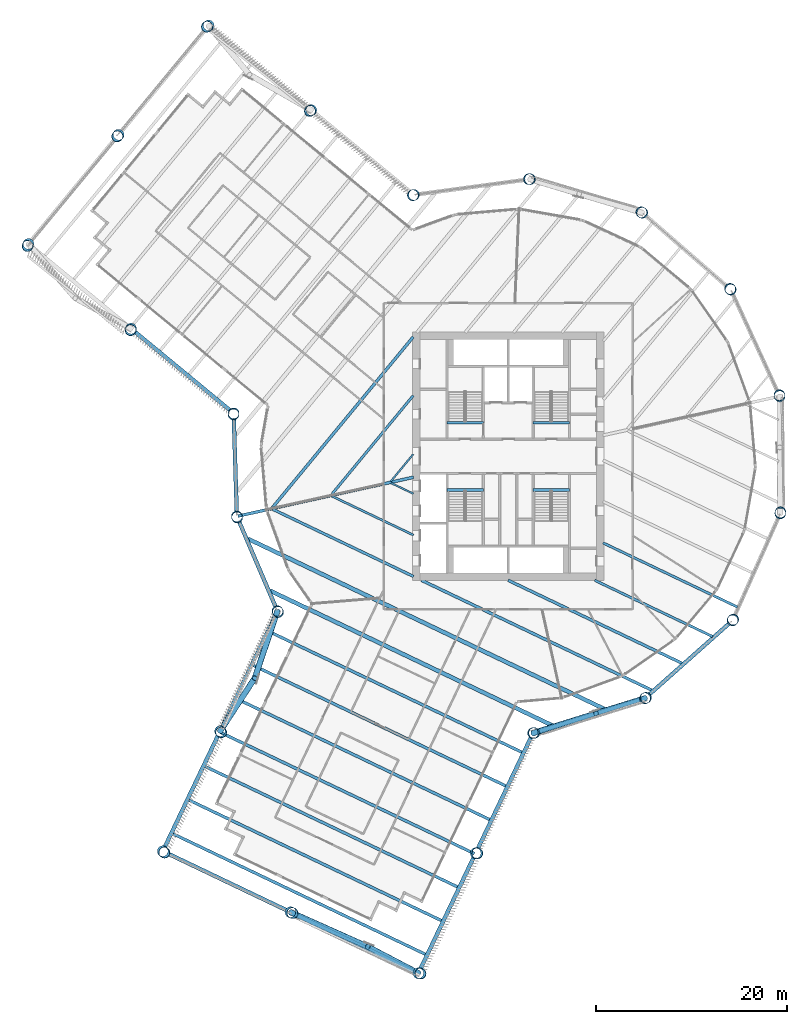
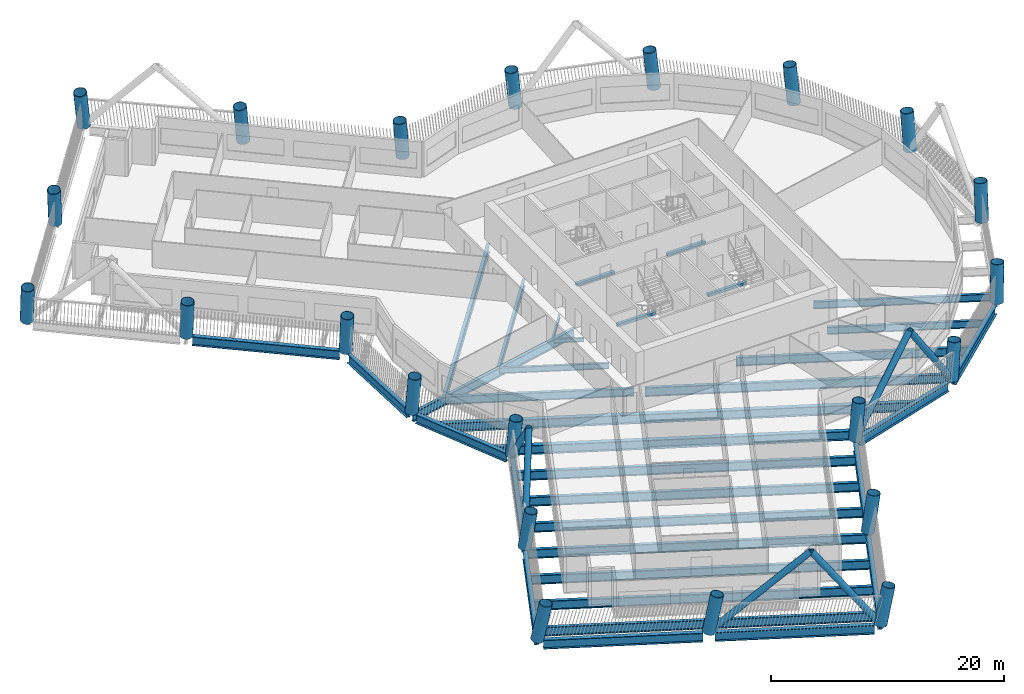
# One storey, part 1 of 22: 35 beams, 22 columns, 6 members.
"""IFC4 building model written with IfcOpenShell, lengths in metres."""

from ifc_helpers import new_model, si_unit, direction, frame, origin, origin_2d, place, context, subcontext, project, spatial, rectangle, hollow_circle, i_section, extrude, material, material_profile, profile_set, type_object, element, save


model = new_model("IFC4")

# Units and contexts
model_context = context("Model", 3, precision=1e-05, world=origin(), true_north=direction((0.0, 1.0)))
body_context = subcontext(model_context, "Body", "Model", "MODEL_VIEW")
ifc_project = project(units=[si_unit("LENGTHUNIT", "METRE"), si_unit("AREAUNIT", "SQUARE_METRE"), si_unit("VOLUMEUNIT", "CUBIC_METRE"), si_unit("PLANEANGLEUNIT", "RADIAN"), si_unit("MASSUNIT", "GRAM", prefix="KILO")], contexts=[model_context])

# Site, building, storey
site_placement = place(None, origin())
site = spatial("IfcSite", under=ifc_project, at=site_placement, CompositionType="ELEMENT")
building_placement = place(site_placement, origin())
building = spatial("IfcBuilding", under=site, at=building_placement, Name="Tarsis Ring Headquarters", CompositionType="ELEMENT")
storey_placement = place(building_placement, frame((0.0, 0.0, 108.39990234375)))
storey = spatial("IfcBuildingStorey", under=building, at=storey_placement, Name="L24", CompositionType="ELEMENT", Elevation=108.39990234375)

# Columns
ifc_material_1 = material(Name="Structural steel S355", Category="steel")
ifc_material_profile_1 = material_profile(ifc_material_1, hollow_circle(Radius=0.584228515625, WallThickness=0.044921875, at=origin_2d()), Name="CHS 1168x45")
ifc_profile_set_1 = profile_set([ifc_material_profile_1], Name="Structural steel S355")
column_type = type_object("IfcColumnType", Name="XC Exo column CHS 1168x45", PredefinedType="COLUMN", material=ifc_profile_set_1)
for number, where, z_axis, x_axis, name in (
    (1, (-28.362060546875, -6.27734375, 0.0009765625), (0.022431411729, -0.098386664223, 0.994895419665), (0.974980990163, 0.222288256149, 0.0), "Exo column XC3 F1"),
    (2, (-24.124755859375, -16.1806640625, 0.0009765625), (0.05676393346, -0.083432389575, 0.994895417734), (0.826788661784, 0.562512674298, 0.0), "Exo column XC3 AK"),
):
    element("IfcColumn", number, at=place(storey_placement, frame(where, z_axis=z_axis, x_axis=x_axis)), inside=storey, type_object=column_type, Name=name, PredefinedType="COLUMN", context=body_context, shape_type="SweptSolid", body=[
        extrude(hollow_circle(Radius=0.584228515625, WallThickness=0.044921875, at=origin_2d()), origin(), (0.0, 0.0, 1.0), 3.918212890625),
    ])
column_1_placement = place(storey_placement, frame((-30.114013671875, -28.7265625, 0.001220703125), z_axis=(0.099922305158, -0.10333156495, 0.989615137625), x_axis=(0.718866252305, 0.695148409548, 0.0)))
element("IfcColumn", 3, at=column_1_placement, inside=storey, type_object=column_type, Name="Exo column XC3 AI1", PredefinedType="COLUMN", context=body_context, shape_type="SweptSolid", body=[
    extrude(hollow_circle(Radius=0.584228515625, WallThickness=0.044921875, at=origin_2d()), origin(), (0.0, 0.0, 1.0), 3.938720703125),
])
column_2_placement = place(storey_placement, frame((-36.103515625, -41.2724609375, 0.00146484375), z_axis=(0.142374801115, -0.122809033287, 0.982164628436), x_axis=(0.653159685247, 0.757220196223, 0.0)))
element("IfcColumn", 4, at=column_2_placement, inside=storey, type_object=column_type, Name="Exo column XC3 AT1", PredefinedType="COLUMN", context=body_context, shape_type="SweptSolid", body=[
    extrude(hollow_circle(Radius=0.584228515625, WallThickness=0.044921875, at=origin_2d()), origin(), (0.0, 0.0, 1.0), 3.968017578125),
])
column_3_placement = place(storey_placement, frame((-22.747314453125, -47.648681640625, 0.00146484375), z_axis=(0.164061415844, -0.076948069241, 0.983444378941), x_axis=(0.424634205954, 0.905365004368, 0.0)))
element("IfcColumn", 5, at=column_3_placement, inside=storey, type_object=column_type, Name="Exo column XC3 AT2", PredefinedType="COLUMN", context=body_context, shape_type="SweptSolid", body=[
    extrude(hollow_circle(Radius=0.584228515625, WallThickness=0.044921875, at=origin_2d()), origin(), (0.0, 0.0, 1.0), 3.962890625),
])
column_4_placement = place(storey_placement, frame((-9.391357421875, -54.02490234375, 0.00146484375), z_axis=(0.185444595243, -0.030948451031, 0.982167244146), x_axis=(0.164611259584, 0.986358521643, 0.0)))
element("IfcColumn", 6, at=column_4_placement, inside=storey, type_object=column_type, Name="Exo column XC3 AT3", PredefinedType="COLUMN", context=body_context, shape_type="SweptSolid", body=[
    extrude(hollow_circle(Radius=0.584228515625, WallThickness=0.044921875, at=origin_2d()), origin(), (0.0, 0.0, 1.0), 3.968017578125),
])
column_5_placement = place(storey_placement, frame((-3.40185546875, -41.47900390625, 0.001220703125), z_axis=(0.143313383493, -0.010785695817, 0.989618584545), x_axis=(0.075047281966, 0.997179976468, 0.0)))
element("IfcColumn", 7, at=column_5_placement, inside=storey, type_object=column_type, Name="Exo column XC3 AO1", PredefinedType="COLUMN", context=body_context, shape_type="SweptSolid", body=[
    extrude(hollow_circle(Radius=0.584228515625, WallThickness=0.044921875, at=origin_2d()), origin(), (0.0, 0.0, 1.0), 3.9384765625),
])
for number, where, z_axis, x_axis, name in (
    (8, (2.58740234375, -28.93310546875, 0.0009765625), (0.100442930001, 0.009657974039, 0.994895944986), (-0.095712406644, 0.9954090291, 0.0), "Exo column XC3 AJ"),
    (9, (14.283203125, -25.29443359375, 0.0009765625), (0.087544675866, 0.05022135854, 0.994893835981), (-0.497600928398, 0.867406084863, 0.0), "Exo column XC3 R1"),
    (10, (23.439453125, -17.158203125, 0.0009765625), (0.059069403484, 0.081812370016, 0.994895744128), (-0.810760633676, 0.585377822334, 0.0), "Exo column XC3 R2"),
    (11, (28.42822265625, -5.97119140625, 0.0009765625), (0.020063674504, 0.098885252912, 0.994896555287), (-0.980030589124, 0.198846786199, 0.0), "Exo column XC3 R3"),
    (12, (28.362060546875, 6.27734375, 0.0009765625), (-0.022431411729, 0.098386664223, 0.994895419665), (-0.974980990163, -0.222288256149, 0.0), "Exo column XC3 R4"),
    (13, (23.253173828125, 17.409912109375, 0.0009765625), (-0.061001013533, 0.080379272173, 0.994895999064), (-0.796578475407, -0.604535137538, 0.0), "Exo column XC3 R5"),
    (14, (14.009765625, 25.44677734375, 0.0009765625), (-0.088728536993, 0.048102830448, 0.994893644781), (-0.476601326674, -0.879119545575, 0.0), "Exo column XC3 R6"),
    (15, (2.275146484375, 28.959228515625, 0.0009765625), (-0.100568352773, 0.007227960918, 0.994903896365), (-0.071686219994, -0.997427233367, 0.0), "Exo column XC3 R7"),
    (16, (-9.86376953125, 27.322509765625, 0.0009765625), (-0.094648441024, -0.034893434479, 0.994899050579), (0.345905723163, -0.93826927408, 0.0), "Exo column XC3 BJ"),
):
    element("IfcColumn", number, at=place(storey_placement, frame(where, z_axis=z_axis, x_axis=x_axis)), inside=storey, type_object=column_type, Name=name, PredefinedType="COLUMN", context=body_context, shape_type="SweptSolid", body=[
        extrude(hollow_circle(Radius=0.584228515625, WallThickness=0.044921875, at=origin_2d()), origin(), (0.0, 0.0, 1.0), 3.918212890625),
    ])
column_6_placement = place(storey_placement, frame((-20.588134765625, 36.169189453125, 0.001220703125), z_axis=(-0.124407338782, -0.071966577143, 0.989617919114), x_axis=(0.500730218626, -0.865603401191, 0.0)))
element("IfcColumn", 17, at=column_6_placement, inside=storey, type_object=column_type, Name="Exo column XC3 BO1", PredefinedType="COLUMN", context=body_context, shape_type="SweptSolid", body=[
    extrude(hollow_circle(Radius=0.584228515625, WallThickness=0.044921875, at=origin_2d()), origin(), (0.0, 0.0, 1.0), 3.9384765625),
])
column_7_placement = place(storey_placement, frame((-31.312255859375, 45.015869140625, 0.00146484375), z_axis=(-0.153634044028, -0.108411367872, 0.982162693158), x_axis=(0.576554722264, -0.817058536602, 0.0)))
element("IfcColumn", 18, at=column_7_placement, inside=storey, type_object=column_type, Name="Exo column XC3 BT3", PredefinedType="COLUMN", context=body_context, shape_type="SweptSolid", body=[
    extrude(hollow_circle(Radius=0.584228515625, WallThickness=0.044921875, at=origin_2d()), origin(), (0.0, 0.0, 1.0), 3.968017578125),
])
column_8_placement = place(storey_placement, frame((-40.730224609375, 33.598876953125, 0.00146484375), z_axis=(-0.114404620185, -0.140587691579, 0.983436161556), x_axis=(0.775635527649, -0.631181058214, 0.0)))
element("IfcColumn", 19, at=column_8_placement, inside=storey, type_object=column_type, Name="Exo column XC3 BT2", PredefinedType="COLUMN", context=body_context, shape_type="SweptSolid", body=[
    extrude(hollow_circle(Radius=0.584228515625, WallThickness=0.044921875, at=origin_2d()), origin(), (0.0, 0.0, 1.0), 3.962890625),
])
column_9_placement = place(storey_placement, frame((-50.148193359375, 22.18212890625, 0.00146484375), z_axis=(-0.074879156062, -0.172462016797, 0.982165955809), x_axis=(0.917272840947, -0.398259381888, 0.0)))
element("IfcColumn", 20, at=column_9_placement, inside=storey, type_object=column_type, Name="Exo column XC3 BT1", PredefinedType="COLUMN", context=body_context, shape_type="SweptSolid", body=[
    extrude(hollow_circle(Radius=0.584228515625, WallThickness=0.044921875, at=origin_2d()), origin(), (0.0, 0.0, 1.0), 3.968017578125),
])
column_10_placement = place(storey_placement, frame((-39.423828125, 13.335693359375, 0.001220703125), z_axis=(-0.045125702975, -0.136554840184, 0.989604186811), x_axis=(0.949499022277, -0.313769990112, 0.0)))
element("IfcColumn", 21, at=column_10_placement, inside=storey, type_object=column_type, Name="Exo column XC3 BI1", PredefinedType="COLUMN", context=body_context, shape_type="SweptSolid", body=[
    extrude(hollow_circle(Radius=0.584228515625, WallThickness=0.044921875, at=origin_2d()), origin(), (0.0, 0.0, 1.0), 3.938720703125),
])
column_11_placement = place(storey_placement, frame((-28.699462890625, 4.489013671875, 0.0009765625), z_axis=(-0.014954333707, -0.099757867772, 0.994899359594), x_axis=(0.988949941305, -0.148249835049, 0.0)))
element("IfcColumn", 22, at=column_11_placement, inside=storey, type_object=column_type, Name="Exo column XC3 BK", PredefinedType="COLUMN", context=body_context, shape_type="SweptSolid", body=[
    extrude(hollow_circle(Radius=0.584228515625, WallThickness=0.044921875, at=origin_2d()), origin(), (0.0, 0.0, 1.0), 3.918212890625),
])

# Beams
ifc_material_profile_2 = material_profile(ifc_material_1, i_section(OverallWidth=0.177734375, OverallDepth=0.406494140625, WebThickness=0.0078125, FlangeThickness=0.0126953125, at=origin_2d()), Name="W16x40")
ifc_profile_set_2 = profile_set([ifc_material_profile_2], Name="Structural steel S355")
beam_type_1 = type_object("IfcBeamType", Name="FB Floor beam W16x40", PredefinedType="JOIST", material=ifc_profile_set_2)
beam_1_placement = place(storey_placement, frame((-12.233154296875, -2.80322265625, -0.363037109375), z_axis=(0.902451714471, -0.430791020158, 0.0), x_axis=(0.430791020158, 0.902451714471, 0.0)))
element("IfcBeam", 23, at=beam_1_placement, inside=storey, type_object=beam_type_1, Name="Floor beam FB1", PredefinedType="JOIST", context=body_context, shape_type="SweptSolid", body=[
    extrude(i_section(OverallWidth=0.177734375, OverallDepth=0.406494140625, WebThickness=0.0078125, FlangeThickness=0.0126953125, at=origin_2d()), origin(), (0.0, 0.0, 1.0), 2.57470703125),
])
beam_2_placement = place(storey_placement, frame((-9.936279296875, 0.212158203125, -0.363037109375), z_axis=(-0.636371088489, -0.77138306809, 0.0), x_axis=(0.77138306809, -0.636371088489, 0.0)))
element("IfcBeam", 24, at=beam_2_placement, inside=storey, type_object=beam_type_1, Name="Floor beam FB1", PredefinedType="JOIST", context=body_context, shape_type="SweptSolid", body=[
    extrude(i_section(OverallWidth=0.177734375, OverallDepth=0.406494140625, WebThickness=0.0078125, FlangeThickness=0.0126953125, at=origin_2d()), origin(), (0.0, 0.0, 1.0), 3.672607421875),
])
ifc_material_profile_3 = material_profile(ifc_material_1, i_section(OverallWidth=0.228271484375, OverallDepth=0.607177734375, WebThickness=0.01123046875, FlangeThickness=0.017333984375, at=origin_2d()), Name="W24x76")
ifc_profile_set_3 = profile_set([ifc_material_profile_3], Name="Structural steel S355")
beam_type_2 = type_object("IfcBeamType", Name="FB Floor beam W24x76", PredefinedType="JOIST", material=ifc_profile_set_3)
beam_3_placement = place(storey_placement, frame((-18.41796875, -4.172119140625, -0.46337890625), z_axis=(0.902440312058, -0.430814905931, 0.0), x_axis=(0.430814905931, 0.902440312058, 0.0)))
element("IfcBeam", 25, at=beam_3_placement, inside=storey, type_object=beam_type_2, Name="Floor beam FB4", PredefinedType="JOIST", context=body_context, shape_type="SweptSolid", body=[
    extrude(i_section(OverallWidth=0.228271484375, OverallDepth=0.607177734375, WebThickness=0.01123046875, FlangeThickness=0.017333984375, at=origin_2d()), origin(), (0.0, 0.0, 1.0), 9.42822265625),
])
ifc_material_profile_4 = material_profile(ifc_material_1, i_section(OverallWidth=0.2666015625, OverallDepth=0.7568359375, WebThickness=0.013916015625, FlangeThickness=0.019287109375, at=origin_2d()), Name="W30x108")
ifc_profile_set_4 = profile_set([ifc_material_profile_4], Name="Structural steel S355")
beam_type_3 = type_object("IfcBeamType", Name="FB Floor beam W30x108", PredefinedType="JOIST", material=ifc_profile_set_4)
beam_4_placement = place(storey_placement, frame((9.90966796875, -9.052490234375, -0.538330078125), z_axis=(0.902432627009, -0.430831003654, 0.0), x_axis=(0.430831003654, 0.902432627009, 0.0)))
element("IfcBeam", 26, at=beam_4_placement, inside=storey, type_object=beam_type_3, Name="Floor beam FB6", PredefinedType="JOIST", context=body_context, shape_type="SweptSolid", body=[
    extrude(i_section(OverallWidth=0.2666015625, OverallDepth=0.7568359375, WebThickness=0.013916015625, FlangeThickness=0.019287109375, at=origin_2d()), origin(), (0.0, 0.0, 1.0), 15.55126953125),
])
beam_5_placement = place(storey_placement, frame((9.03564453125, -12.95703125, -0.538330078125), z_axis=(0.902438560521, -0.430818574907, 0.0), x_axis=(0.430818574907, 0.902438560521, 0.0)))
element("IfcBeam", 27, at=beam_5_placement, inside=storey, type_object=beam_type_3, Name="Floor beam FB6", PredefinedType="JOIST", context=body_context, shape_type="SweptSolid", body=[
    extrude(i_section(OverallWidth=0.2666015625, OverallDepth=0.7568359375, WebThickness=0.013916015625, FlangeThickness=0.019287109375, at=origin_2d()), origin(), (0.0, 0.0, 1.0), 13.66064453125),
])
beam_6_placement = place(storey_placement, frame((-9.936279296875, 6.341064453125, -0.538330078125), z_axis=(-0.636351768844, -0.771399005891, 0.0), x_axis=(0.771399005891, -0.636351768844, 0.0)))
element("IfcBeam", 28, at=beam_6_placement, inside=storey, type_object=beam_type_3, Name="Floor beam FB6", PredefinedType="JOIST", context=body_context, shape_type="SweptSolid", body=[
    extrude(i_section(OverallWidth=0.2666015625, OverallDepth=0.7568359375, WebThickness=0.013916015625, FlangeThickness=0.019287109375, at=origin_2d()), origin(), (0.0, 0.0, 1.0), 13.392333984375),
])
ifc_material_profile_5 = material_profile(ifc_material_1, i_section(OverallWidth=0.2919921875, OverallDepth=0.835693359375, WebThickness=0.013916015625, FlangeThickness=0.018798828125, at=origin_2d()), Name="W33x118")
ifc_profile_set_5 = profile_set([ifc_material_profile_5], Name="Structural steel S355")
beam_type_4 = type_object("IfcBeamType", Name="FB Floor beam W33x118", PredefinedType="JOIST", material=ifc_profile_set_5)
beam_7_placement = place(storey_placement, frame((-24.60302734375, -5.541015625, -0.57763671875), z_axis=(0.902435462247, -0.430825064822, 0.0), x_axis=(0.430825064822, 0.902435462247, 0.0)))
element("IfcBeam", 29, at=beam_7_placement, inside=storey, type_object=beam_type_4, Name="Floor beam FB7", PredefinedType="JOIST", context=body_context, shape_type="SweptSolid", body=[
    extrude(i_section(OverallWidth=0.2919921875, OverallDepth=0.835693359375, WebThickness=0.013916015625, FlangeThickness=0.018798828125, at=origin_2d()), origin(), (0.0, 0.0, 1.0), 16.281982421875),
])
ifc_material_profile_6 = material_profile(ifc_material_1, i_section(OverallWidth=0.3046875, OverallDepth=0.904296875, WebThickness=0.01513671875, FlangeThickness=0.02001953125, at=origin_2d()), Name="W36x135")
ifc_profile_set_6 = profile_set([ifc_material_profile_6], Name="Structural steel S355")
beam_type_5 = type_object("IfcBeamType", Name="FB Floor beam W36x135", PredefinedType="JOIST", material=ifc_profile_set_6)
beam_8_placement = place(storey_placement, frame((-0.016845703125, -12.95703125, -0.612060546875), z_axis=(0.902439575636, -0.430816448533, 0.0), x_axis=(0.430816448533, 0.902439575636, 0.0)))
element("IfcBeam", 30, at=beam_8_placement, inside=storey, type_object=beam_type_5, Name="Floor beam FB8", PredefinedType="JOIST", context=body_context, shape_type="SweptSolid", body=[
    extrude(i_section(OverallWidth=0.3046875, OverallDepth=0.904296875, WebThickness=0.01513671875, FlangeThickness=0.02001953125, at=origin_2d()), origin(), (0.0, 0.0, 1.0), 20.186279296875),
])
ifc_material_profile_7 = material_profile(ifc_material_1, i_section(OverallWidth=0.3046875, OverallDepth=0.91943359375, WebThickness=0.017333984375, FlangeThickness=0.02783203125, at=origin_2d()), Name="W36x170")
ifc_profile_set_7 = profile_set([ifc_material_profile_7], Name="Structural steel S355")
beam_type_6 = type_object("IfcBeamType", Name="FB Floor beam W36x170", PredefinedType="JOIST", material=ifc_profile_set_7)
beam_9_placement = place(storey_placement, frame((-9.936279296875, 12.4697265625, -0.61962890625), z_axis=(-0.636347598288, -0.771402446297, 0.0), x_axis=(0.771402446297, -0.636347598288, 0.0)))
element("IfcBeam", 31, at=beam_9_placement, inside=storey, type_object=beam_type_6, Name="Floor beam FB9", PredefinedType="JOIST", context=body_context, shape_type="SweptSolid", body=[
    extrude(i_section(OverallWidth=0.3046875, OverallDepth=0.91943359375, WebThickness=0.017333984375, FlangeThickness=0.02783203125, at=origin_2d()), origin(), (0.0, 0.0, 1.0), 23.111572265625),
])
ifc_material_profile_8 = material_profile(ifc_material_1, i_section(OverallWidth=0.309814453125, OverallDepth=0.93212890625, WebThickness=0.02099609375, FlangeThickness=0.034423828125, at=origin_2d()), Name="W36x210")
ifc_profile_set_8 = profile_set([ifc_material_profile_8], Name="Structural steel S355")
beam_type_7 = type_object("IfcBeamType", Name="FB Floor beam W36x210", PredefinedType="JOIST", material=ifc_profile_set_8)
beam_10_placement = place(storey_placement, frame((-9.069091796875, -12.95703125, -0.6259765625), z_axis=(0.902436701948, -0.430822468051, 0.0), x_axis=(0.430822468051, 0.902436701948, 0.0)))
element("IfcBeam", 32, at=beam_10_placement, inside=storey, type_object=beam_type_7, Name="Floor beam FB10", PredefinedType="JOIST", context=body_context, shape_type="SweptSolid", body=[
    extrude(i_section(OverallWidth=0.309814453125, OverallDepth=0.93212890625, WebThickness=0.02099609375, FlangeThickness=0.034423828125, at=origin_2d()), origin(), (0.0, 0.0, 1.0), 26.711181640625),
])
ifc_material_profile_9 = material_profile(ifc_material_1, i_section(OverallWidth=0.309814453125, OverallDepth=0.949951171875, WebThickness=0.0244140625, FlangeThickness=0.0439453125, at=origin_2d()), Name="W36x256")
ifc_profile_set_9 = profile_set([ifc_material_profile_9], Name="Structural steel S355")
beam_type_8 = type_object("IfcBeamType", Name="FB Floor beam W36x256", PredefinedType="JOIST", material=ifc_profile_set_9)
beam_11_placement = place(storey_placement, frame((-25.016357421875, -18.30859375, -0.635009765625), z_axis=(0.902436390853, -0.430823119696, 0.0), x_axis=(0.430823119696, 0.902436390853, 0.0)))
element("IfcBeam", 33, at=beam_11_placement, inside=storey, type_object=beam_type_8, Name="Floor beam FB11", PredefinedType="JOIST", context=body_context, shape_type="SweptSolid", body=[
    extrude(i_section(OverallWidth=0.309814453125, OverallDepth=0.949951171875, WebThickness=0.0244140625, FlangeThickness=0.0439453125, at=origin_2d()), origin(), (0.0, 0.0, 1.0), 29.375732421875),
])
beam_12_placement = place(storey_placement, frame((-26.696533203125, -21.828125, -0.635009765625), z_axis=(0.902434848252, -0.430826350936, 0.0), x_axis=(0.430826350936, 0.902434848252, 0.0)))
element("IfcBeam", 34, at=beam_12_placement, inside=storey, type_object=beam_type_8, Name="Floor beam FB11", PredefinedType="JOIST", context=body_context, shape_type="SweptSolid", body=[
    extrude(i_section(OverallWidth=0.309814453125, OverallDepth=0.949951171875, WebThickness=0.0244140625, FlangeThickness=0.0439453125, at=origin_2d()), origin(), (0.0, 0.0, 1.0), 29.37548828125),
])
beam_13_placement = place(storey_placement, frame((-28.376953125, -25.34765625, -0.635009765625), z_axis=(0.902436390853, -0.430823119696, 0.0), x_axis=(0.430823119696, 0.902436390853, 0.0)))
element("IfcBeam", 35, at=beam_13_placement, inside=storey, type_object=beam_type_8, Name="Floor beam FB11", PredefinedType="JOIST", context=body_context, shape_type="SweptSolid", body=[
    extrude(i_section(OverallWidth=0.309814453125, OverallDepth=0.949951171875, WebThickness=0.0244140625, FlangeThickness=0.0439453125, at=origin_2d()), origin(), (0.0, 0.0, 1.0), 29.375732421875),
])
for number, where, z_axis, x_axis, name in (
    (36, (-30.05712890625, -28.866943359375, -0.635009765625), (0.90243315962, -0.430829888027, 0.0), (0.430829888027, 0.90243315962, 0.0), "Floor beam FB11"),
    (37, (-31.7373046875, -32.386474609375, -0.635009765625), (0.90243315962, -0.430829888027, 0.0), (0.430829888027, 0.90243315962, 0.0), "Floor beam FB11"),
):
    element("IfcBeam", number, at=place(storey_placement, frame(where, z_axis=z_axis, x_axis=x_axis)), inside=storey, type_object=beam_type_8, Name=name, PredefinedType="JOIST", context=body_context, shape_type="SweptSolid", body=[
        extrude(i_section(OverallWidth=0.309814453125, OverallDepth=0.949951171875, WebThickness=0.0244140625, FlangeThickness=0.0439453125, at=origin_2d()), origin(), (0.0, 0.0, 1.0), 29.3759765625),
    ])
for number, where, z_axis, x_axis, name in (
    (38, (-33.41748046875, -35.906005859375, -0.635009765625), (0.902436390853, -0.430823119696, 0.0), (0.430823119696, 0.902436390853, 0.0), "Floor beam FB11"),
    (39, (-35.09765625, -39.425537109375, -0.635009765625), (0.902436390853, -0.430823119696, 0.0), (0.430823119696, 0.902436390853, 0.0), "Floor beam FB11"),
):
    element("IfcBeam", number, at=place(storey_placement, frame(where, z_axis=z_axis, x_axis=x_axis)), inside=storey, type_object=beam_type_8, Name=name, PredefinedType="JOIST", context=body_context, shape_type="SweptSolid", body=[
        extrude(i_section(OverallWidth=0.309814453125, OverallDepth=0.949951171875, WebThickness=0.0244140625, FlangeThickness=0.0439453125, at=origin_2d()), origin(), (0.0, 0.0, 1.0), 29.375732421875),
    ])
beam_type_9 = type_object("IfcBeamType", Name="FB Floor beam W36x256 spine", PredefinedType="BEAM", material=ifc_profile_set_9)
beam_14_placement = place(storey_placement, frame((-9.90234375, -2.191650390625, -0.635009765625), z_axis=(-0.976372573346, -0.216093956458, 0.0), x_axis=(0.216093956458, -0.976372573346, 0.0)))
element("IfcBeam", 40, at=beam_14_placement, inside=storey, type_object=beam_type_9, Name="Floor beam SB11", PredefinedType="BEAM", context=body_context, shape_type="SweptSolid", body=[
    extrude(i_section(OverallWidth=0.309814453125, OverallDepth=0.949951171875, WebThickness=0.0244140625, FlangeThickness=0.0439453125, at=origin_2d()), origin(), (0.0, 0.0, 1.0), 18.790771484375),
])
ifc_material_profile_10 = material_profile(ifc_material_1, i_section(OverallWidth=0.42431640625, OverallDepth=0.947509765625, WebThickness=0.02392578125, FlangeThickness=0.042724609375, at=origin_2d()), Name="W36x302")
ifc_profile_set_10 = profile_set([ifc_material_profile_10], Name="Structural steel S355")
beam_type_10 = type_object("IfcBeamType", Name="FB Floor beam W36x302", PredefinedType="JOIST", material=ifc_profile_set_10)
beam_15_placement = place(storey_placement, frame((-27.19970703125, -8.623046875, -0.633544921875), z_axis=(0.902436229141, -0.430823458431, 0.0), x_axis=(0.430823458431, 0.902436229141, 0.0)))
element("IfcBeam", 41, at=beam_15_placement, inside=storey, type_object=beam_type_10, Name="Floor beam FB12", PredefinedType="JOIST", context=body_context, shape_type="SweptSolid", body=[
    extrude(i_section(OverallWidth=0.42431640625, OverallDepth=0.947509765625, WebThickness=0.02392578125, FlangeThickness=0.042724609375, at=origin_2d()), origin(), (0.0, 0.0, 1.0), 41.353271484375),
])
beam_16_placement = place(storey_placement, frame((-24.875732421875, -14.053955078125, -0.633544921875), z_axis=(0.902434669247, -0.430826725891, 0.0), x_axis=(0.430826725891, 0.902434669247, 0.0)))
element("IfcBeam", 42, at=beam_16_placement, inside=storey, type_object=beam_type_10, Name="Floor beam FB12", PredefinedType="JOIST", context=body_context, shape_type="SweptSolid", body=[
    extrude(i_section(OverallWidth=0.42431640625, OverallDepth=0.947509765625, WebThickness=0.02392578125, FlangeThickness=0.042724609375, at=origin_2d()), origin(), (0.0, 0.0, 1.0), 32.704833984375),
])
ifc_material_2 = material(Name="Concrete C40/50", Category="concrete")
ifc_material_profile_11 = material_profile(ifc_material_2, rectangle(XDim=0.300048828125, YDim=0.300048828125, at=origin_2d()), Name="Stair head beam 300x300 C40/50")
ifc_profile_set_11 = profile_set([ifc_material_profile_11], Name="Concrete C40/50")
beam_type_11 = type_object("IfcBeamType", Name="Stair head beam 300x300 C40/50", PredefinedType="BEAM", material=ifc_profile_set_11)
for number, where, z_axis, x_axis, name in (
    (43, (-6.39990234375, 3.510009765625, -0.309814453125), (1.0, 0.0, 0.0), (0.0, 1.0, 0.0), "Stair head beam L24 Firefighting stair"),
    (44, (2.60009765625, 3.510009765625, -0.309814453125), (1.0, 0.0, 0.0), (0.0, 1.0, 0.0), "Stair head beam L24 Exit stair B"),
    (45, (-6.39990234375, -3.510009765625, -0.309814453125), (1.0, 0.0, 0.0), (0.0, 1.0, 0.0), "Stair head beam L24 Exit stair C"),
    (46, (2.60009765625, -3.510009765625, -0.309814453125), (1.0, 0.0, 0.0), (0.0, 1.0, 0.0), "Stair head beam L24 Exit stair D"),
):
    element("IfcBeam", number, at=place(storey_placement, frame(where, z_axis=z_axis, x_axis=x_axis)), inside=storey, type_object=beam_type_11, Name=name, PredefinedType="BEAM", context=body_context, shape_type="SweptSolid", body=[
        extrude(rectangle(XDim=0.300048828125, YDim=0.300048828125, at=origin_2d()), origin(), (0.0, 0.0, 1.0), 3.7998046875),
    ])

# Members
ifc_material_profile_12 = material_profile(ifc_material_1, hollow_circle(Radius=0.3046875, WallThickness=0.02490234375, at=origin_2d()), Name="CHS 610x25")
ifc_profile_set_12 = profile_set([ifc_material_profile_12], Name="Structural steel S355")
member_type = type_object("IfcMemberType", Name="XD X brace CHS 610x25", PredefinedType="BRACE", material=ifc_profile_set_12)
member_1_placement = place(storey_placement, frame((-24.124755859375, -16.1806640625, 0.0), z_axis=(-0.220817316109, -0.651571226753, 0.725737314305), x_axis=(0.947089868246, -0.320968505411, 0.0)))
element("IfcMember", 47, at=member_1_placement, inside=storey, type_object=member_type, Name="X brace XD1", PredefinedType="BRACE", context=body_context, shape_type="SweptSolid", body=[
    extrude(hollow_circle(Radius=0.3046875, WallThickness=0.02490234375, at=origin_2d()), origin(), (0.0, 0.0, 1.0), 10.747802734375),
])
member_2_placement = place(storey_placement, frame((-30.1142578125, -28.7265625, 0.0), z_axis=(0.35350880014, 0.54186226022, 0.762506930574), x_axis=(-0.83752545845, 0.546398303848, 0.0)))
element("IfcMember", 48, at=member_2_placement, inside=storey, type_object=member_type, Name="X brace XD1", PredefinedType="BRACE", context=body_context, shape_type="SweptSolid", body=[
    extrude(hollow_circle(Radius=0.3046875, WallThickness=0.02490234375, at=origin_2d()), origin(), (0.0, 0.0, 1.0), 10.2294921875),
])
member_3_placement = place(storey_placement, frame((-22.74755859375, -47.648681640625, 0.0), z_axis=(0.684456830774, -0.305981987563, 0.66173549859), x_axis=(0.408118893619, 0.912928786199, 0.0)))
element("IfcMember", 49, at=member_3_placement, inside=storey, type_object=member_type, Name="X brace XD1", PredefinedType="BRACE", context=body_context, shape_type="SweptSolid", body=[
    extrude(hollow_circle(Radius=0.3046875, WallThickness=0.02490234375, at=origin_2d()), origin(), (0.0, 0.0, 1.0), 11.787353515625),
])
member_4_placement = place(storey_placement, frame((-9.3916015625, -54.02490234375, 0.0), z_axis=(-0.538382947002, 0.281967504653, 0.794127274873), x_axis=(-0.46395197736, -0.885860351694, 0.0)))
element("IfcMember", 50, at=member_4_placement, inside=storey, type_object=member_type, Name="X brace XD1", PredefinedType="BRACE", context=body_context, shape_type="SweptSolid", body=[
    extrude(hollow_circle(Radius=0.3046875, WallThickness=0.02490234375, at=origin_2d()), origin(), (0.0, 0.0, 1.0), 9.822265625),
])
member_5_placement = place(storey_placement, frame((2.58740234375, -28.93310546875, 0.0), z_axis=(0.632218012746, 0.19775717537, 0.749127815496), x_axis=(-0.298534977071, 0.954398694187, 0.0)))
element("IfcMember", 51, at=member_5_placement, inside=storey, type_object=member_type, Name="X brace XD1", PredefinedType="BRACE", context=body_context, shape_type="SweptSolid", body=[
    extrude(hollow_circle(Radius=0.3046875, WallThickness=0.02490234375, at=origin_2d()), origin(), (0.0, 0.0, 1.0), 10.412109375),
])
member_6_placement = place(storey_placement, frame((14.283203125, -25.29443359375, 0.0), z_axis=(-0.540528190838, -0.166987413204, 0.824587459728), x_axis=(0.295169225222, -0.955444989773, 0.0)))
element("IfcMember", 52, at=member_6_placement, inside=storey, type_object=member_type, Name="X brace XD1", PredefinedType="BRACE", context=body_context, shape_type="SweptSolid", body=[
    extrude(hollow_circle(Radius=0.3046875, WallThickness=0.02490234375, at=origin_2d()), origin(), (0.0, 0.0, 1.0), 9.459228515625),
])

# Beams
beam_type_12 = type_object("IfcBeamType", Name="XG Ring girder W36x302", PredefinedType="BEAM", material=ifc_profile_set_10)
beam_17_placement = place(storey_placement, frame((-28.1552734375, -6.7607421875, -0.4736328125), z_axis=(0.393379652098, -0.919376119613, 0.0), x_axis=(0.919376119613, 0.393379652098, 0.0)))
element("IfcBeam", 53, at=beam_17_placement, inside=storey, type_object=beam_type_12, Name="Ring girder XG1", PredefinedType="BEAM", context=body_context, shape_type="SweptSolid", body=[
    extrude(i_section(OverallWidth=0.42431640625, OverallDepth=0.947509765625, WebThickness=0.02392578125, FlangeThickness=0.042724609375, at=origin_2d()), origin(), (0.0, 0.0, 1.0), 9.72021484375),
])
for number, where, z_axis, x_axis, name in (
    (54, (-24.351318359375, -16.655029296875, -0.4736328125), (-0.430823480193, -0.902436218752, 0.0), (0.902436218752, -0.430823480193, 0.0), "Ring girder XG1"),
    (55, (-30.3408203125, -29.200927734375, -0.4736328125), (-0.430823480193, -0.902436218752, 0.0), (0.902436218752, -0.430823480193, 0.0), "Ring girder XG1"),
):
    element("IfcBeam", number, at=place(storey_placement, frame(where, z_axis=z_axis, x_axis=x_axis)), inside=storey, type_object=beam_type_12, Name=name, PredefinedType="BEAM", context=body_context, shape_type="SweptSolid", body=[
        extrude(i_section(OverallWidth=0.42431640625, OverallDepth=0.947509765625, WebThickness=0.02392578125, FlangeThickness=0.042724609375, at=origin_2d()), origin(), (0.0, 0.0, 1.0), 12.8505859375),
    ])
for number, where, z_axis, x_axis, name in (
    (56, (-35.629150390625, -41.498779296875, -0.4736328125), (0.902429416636, -0.430837728141, 0.0), (0.430837728141, 0.902429416636, 0.0), "Ring girder XG1"),
    (57, (-22.273193359375, -47.875, -0.4736328125), (0.902432712765, -0.430830824028, 0.0), (0.430830824028, 0.902432712765, 0.0), "Ring girder XG1"),
):
    element("IfcBeam", number, at=place(storey_placement, frame(where, z_axis=z_axis, x_axis=x_axis)), inside=storey, type_object=beam_type_12, Name=name, PredefinedType="BEAM", context=body_context, shape_type="SweptSolid", body=[
        extrude(i_section(OverallWidth=0.42431640625, OverallDepth=0.947509765625, WebThickness=0.02392578125, FlangeThickness=0.042724609375, at=origin_2d()), origin(), (0.0, 0.0, 1.0), 13.74853515625),
    ])
for number, where, z_axis, x_axis, name in (
    (58, (-9.1650390625, -53.55029296875, -0.4736328125), (0.430823480193, 0.902436218752, 0.0), (-0.902436218752, 0.430823480193, 0.0), "Ring girder XG1"),
    (59, (-3.175537109375, -41.00439453125, -0.4736328125), (0.430823480193, 0.902436218752, 0.0), (-0.902436218752, 0.430823480193, 0.0), "Ring girder XG1"),
):
    element("IfcBeam", number, at=place(storey_placement, frame(where, z_axis=z_axis, x_axis=x_axis)), inside=storey, type_object=beam_type_12, Name=name, PredefinedType="BEAM", context=body_context, shape_type="SweptSolid", body=[
        extrude(i_section(OverallWidth=0.42431640625, OverallDepth=0.947509765625, WebThickness=0.02392578125, FlangeThickness=0.042724609375, at=origin_2d()), origin(), (0.0, 0.0, 1.0), 12.8505859375),
    ])
beam_18_placement = place(storey_placement, frame((3.08935546875, -28.77685546875, -0.4736328125), z_axis=(0.954861723949, 0.297050649109, 0.0), x_axis=(-0.297050649109, 0.954861723949, 0.0)))
element("IfcBeam", 60, at=beam_18_placement, inside=storey, type_object=beam_type_12, Name="Ring girder XG1", PredefinedType="BEAM", context=body_context, shape_type="SweptSolid", body=[
    extrude(i_section(OverallWidth=0.42431640625, OverallDepth=0.947509765625, WebThickness=0.02392578125, FlangeThickness=0.042724609375, at=origin_2d()), origin(), (0.0, 0.0, 1.0), 11.197265625),
])
beam_19_placement = place(storey_placement, frame((14.67626953125, -24.945068359375, -0.4736328125), z_axis=(0.747524792858, 0.664233907643, 0.0), x_axis=(-0.664233907643, 0.747524792858, 0.0)))
element("IfcBeam", 61, at=beam_19_placement, inside=storey, type_object=beam_type_12, Name="Ring girder XG1", PredefinedType="BEAM", context=body_context, shape_type="SweptSolid", body=[
    extrude(i_section(OverallWidth=0.42431640625, OverallDepth=0.947509765625, WebThickness=0.02392578125, FlangeThickness=0.042724609375, at=origin_2d()), origin(), (0.0, 0.0, 1.0), 11.197021484375),
])
beam_20_placement = place(storey_placement, frame((-39.01806640625, 13.001220703125, -0.4736328125), z_axis=(0.771396360264, -0.636354975914, 0.0), x_axis=(0.636354975914, 0.771396360264, 0.0)))
element("IfcBeam", 62, at=beam_20_placement, inside=storey, type_object=beam_type_12, Name="Ring girder XG1", PredefinedType="BEAM", context=body_context, shape_type="SweptSolid", body=[
    extrude(i_section(OverallWidth=0.42431640625, OverallDepth=0.947509765625, WebThickness=0.02392578125, FlangeThickness=0.042724609375, at=origin_2d()), origin(), (0.0, 0.0, 1.0), 12.8505859375),
])
beam_21_placement = place(storey_placement, frame((-28.68310546875, 3.963623046875, -0.4736328125), z_axis=(0.031321008015, -0.999509376873, 0.0), x_axis=(0.999509376873, 0.031321008015, 0.0)))
element("IfcBeam", 63, at=beam_21_placement, inside=storey, type_object=beam_type_12, Name="Ring girder XG1", PredefinedType="BEAM", context=body_context, shape_type="SweptSolid", body=[
    extrude(i_section(OverallWidth=0.42431640625, OverallDepth=0.947509765625, WebThickness=0.02392578125, FlangeThickness=0.042724609375, at=origin_2d()), origin(), (0.0, 0.0, 1.0), 9.72021484375),
])

save(model, "model.ifc")
